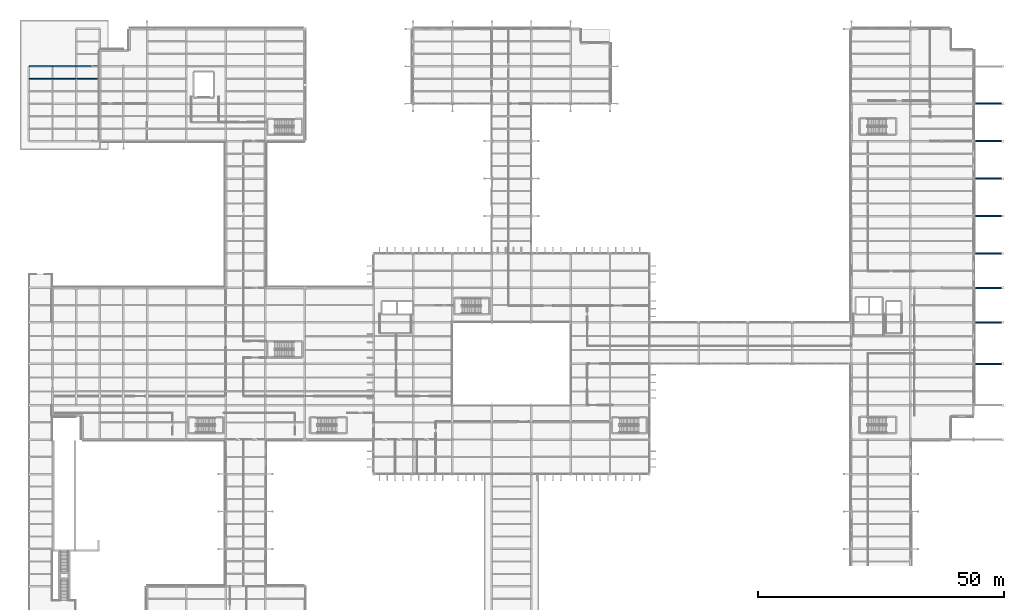
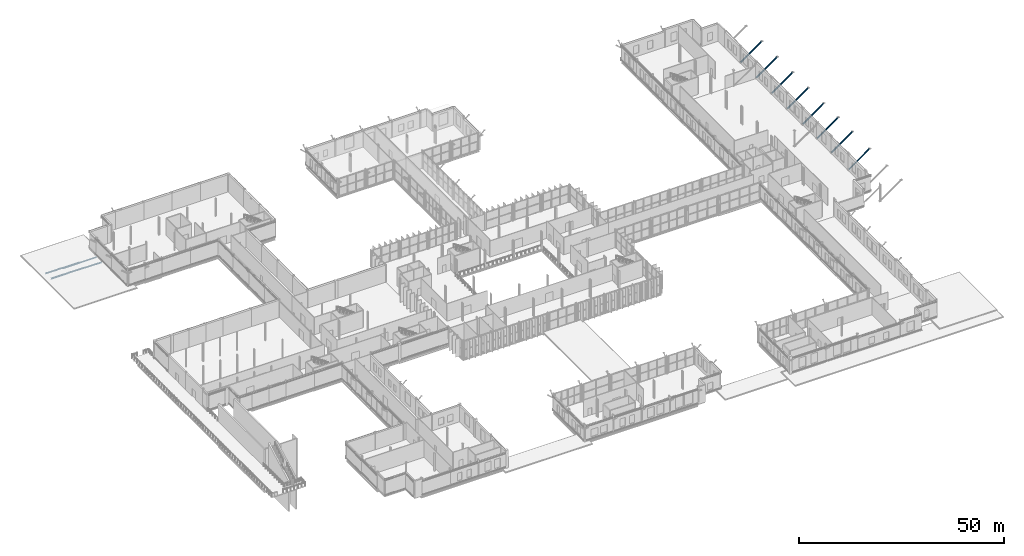
# One storey, part 96 of 147: 8 members, 6 beams.
"""IFC4 building model written with IfcOpenShell, lengths in metres."""

from ifc_helpers import new_model, si_unit, direction, frame, origin, origin_2d, place, context, subcontext, project, spatial, hollow_circle, i_section, extrude, material, material_profile, profile_set, type_object, element, save


model = new_model("IFC4")

# Units and contexts
model_context = context("Model", 3, precision=1e-05, world=origin(), true_north=direction((0.0, 1.0)))
body_context = subcontext(model_context, "Body", "Model", "MODEL_VIEW")
ifc_project = project(units=[si_unit("LENGTHUNIT", "METRE"), si_unit("AREAUNIT", "SQUARE_METRE"), si_unit("VOLUMEUNIT", "CUBIC_METRE"), si_unit("PLANEANGLEUNIT", "RADIAN"), si_unit("MASSUNIT", "GRAM", prefix="KILO")], contexts=[model_context])

# Site, building, storey
site_placement = place(None, origin())
site = spatial("IfcSite", under=ifc_project, at=site_placement, CompositionType="ELEMENT")
building_placement = place(site_placement, origin())
building = spatial("IfcBuilding", under=site, at=building_placement, Name="Vekula Escarpment Museum", CompositionType="ELEMENT")
storey_placement = place(building_placement, frame((0.0, 0.0, 7.800048828125)))
storey = spatial("IfcBuildingStorey", under=building, at=storey_placement, Name="L02", CompositionType="ELEMENT", Elevation=7.800048828125)

# Beams
ifc_material_1 = material(Name="Steel S355", Category="steel")
ifc_material_profile_1 = material_profile(ifc_material_1, i_section(OverallWidth=0.280029296875, OverallDepth=0.280029296875, WebThickness=0.010498046875, FlangeThickness=0.01806640625, FilletRadius=0.02392578125, at=origin_2d()), Name="HEB 280")
ifc_profile_set_1 = profile_set([ifc_material_profile_1], Name="Steel S355")
beam_type_1 = type_object("IfcBeamType", Name="BM-GIRD-HEB280", PredefinedType="BEAM", material=ifc_profile_set_1)
beam_1_placement = place(storey_placement, frame((9.60009765625, 128.39990234375, -0.4599609375), z_axis=(1.0, 0.0, 0.0), x_axis=(0.0, 1.0, 0.0)))
element("IfcBeam", 1, at=beam_1_placement, inside=storey, type_object=beam_type_1, Name="Beam X L02 0997", PredefinedType="BEAM", context=body_context, shape_type="SweptSolid", body=[
    extrude(i_section(OverallWidth=0.280029296875, OverallDepth=0.280029296875, WebThickness=0.010498046875, FlangeThickness=0.01806640625, FilletRadius=0.02392578125, at=origin_2d()), origin(), (0.0, 0.0, 1.0), 4.7998046875),
])
ifc_material_2 = material(Name="Steel S355", Category="steel")
ifc_material_profile_2 = material_profile(ifc_material_2, i_section(OverallWidth=0.300048828125, OverallDepth=0.449951171875, WebThickness=0.013916015625, FlangeThickness=0.02587890625, FilletRadius=0.027099609375, at=origin_2d()), Name="HEB 450")
ifc_profile_set_2 = profile_set([ifc_material_profile_2], Name="Steel S355")
beam_type_2 = type_object("IfcBeamType", Name="BM-GIRD-HEB450", PredefinedType="BEAM", material=ifc_profile_set_2)
beam_2_placement = place(storey_placement, frame((4.800048828125, 128.39990234375, -0.425048828125), z_axis=(1.0, 0.0, 0.0), x_axis=(0.0, 1.0, 0.0)))
element("IfcBeam", 2, at=beam_2_placement, inside=storey, type_object=beam_type_2, Name="Beam X L02 0996", PredefinedType="BEAM", context=body_context, shape_type="SweptSolid", body=[
    extrude(i_section(OverallWidth=0.300048828125, OverallDepth=0.449951171875, WebThickness=0.013916015625, FlangeThickness=0.02587890625, FilletRadius=0.027099609375, at=origin_2d()), origin(), (0.0, 0.0, 1.0), 4.800048828125),
])
ifc_material_3 = material(Name="Steel S355", Category="steel")
ifc_material_profile_3 = material_profile(ifc_material_3, i_section(OverallWidth=0.135009765625, OverallDepth=0.27001953125, WebThickness=0.006591796875, FlangeThickness=0.01025390625, FilletRadius=0.014892578125, at=origin_2d()), Name="IPE 270")
ifc_profile_set_3 = profile_set([ifc_material_profile_3], Name="Steel S355")
beam_type_3 = type_object("IfcBeamType", Name="BM-JST-IPE270", PredefinedType="JOIST", material=ifc_profile_set_3)
beam_3_placement = place(storey_placement, frame((9.68994140625, 125.86669921875, -0.455078125), z_axis=(1.0, 0.0, 0.0), x_axis=(0.0, 1.0, 0.0)))
element("IfcBeam", 3, at=beam_3_placement, inside=storey, type_object=beam_type_3, Name="Secondary Joist L02 0629", PredefinedType="JOIST", context=body_context, shape_type="SweptSolid", body=[
    extrude(i_section(OverallWidth=0.135009765625, OverallDepth=0.27001953125, WebThickness=0.006591796875, FlangeThickness=0.01025390625, FilletRadius=0.014892578125, at=origin_2d()), origin(), (0.0, 0.0, 1.0), 4.6201171875),
])
ifc_material_4 = material(Name="Steel S355", Category="steel")
ifc_material_profile_4 = material_profile(ifc_material_4, i_section(OverallWidth=0.14990234375, OverallDepth=0.300048828125, WebThickness=0.007080078125, FlangeThickness=0.0107421875, FilletRadius=0.014892578125, at=origin_2d()), Name="IPE 300")
ifc_profile_set_4 = profile_set([ifc_material_profile_4], Name="Steel S355")
beam_type_4 = type_object("IfcBeamType", Name="BM-JST-IPE300", PredefinedType="JOIST", material=ifc_profile_set_4)
beam_4_placement = place(storey_placement, frame((4.889892578125, 125.86669921875, -0.35009765625), z_axis=(1.0, 0.0, 0.0), x_axis=(0.0, 1.0, 0.0)))
element("IfcBeam", 4, at=beam_4_placement, inside=storey, type_object=beam_type_4, Name="Secondary Joist L02 0620", PredefinedType="JOIST", context=body_context, shape_type="SweptSolid", body=[
    extrude(i_section(OverallWidth=0.14990234375, OverallDepth=0.300048828125, WebThickness=0.007080078125, FlangeThickness=0.0107421875, FilletRadius=0.014892578125, at=origin_2d()), origin(), (0.0, 0.0, 1.0), 4.6201171875),
])
ifc_material_5 = material(Name="Steel S355", Category="steel")
ifc_material_profile_5 = material_profile(ifc_material_5, i_section(OverallWidth=0.159912109375, OverallDepth=0.330078125, WebThickness=0.007568359375, FlangeThickness=0.011474609375, FilletRadius=0.01806640625, at=origin_2d()), Name="IPE 330")
ifc_profile_set_5 = profile_set([ifc_material_profile_5], Name="Steel S355")
beam_type_5 = type_object("IfcBeamType", Name="BM-JST-IPE330", PredefinedType="JOIST", material=ifc_profile_set_5)
beam_5_placement = place(storey_placement, frame((0.090087890625, 125.86669921875, -0.364990234375), z_axis=(1.0, 0.0, 0.0), x_axis=(0.0, 1.0, 0.0)))
element("IfcBeam", 5, at=beam_5_placement, inside=storey, type_object=beam_type_5, Name="Secondary Joist L02 0611", PredefinedType="JOIST", context=body_context, shape_type="SweptSolid", body=[
    extrude(i_section(OverallWidth=0.159912109375, OverallDepth=0.330078125, WebThickness=0.007568359375, FlangeThickness=0.011474609375, FilletRadius=0.01806640625, at=origin_2d()), origin(), (0.0, 0.0, 1.0), 4.619873046875),
])
ifc_material_6 = material(Name="Steel S355", Category="steel")
ifc_material_profile_6 = material_profile(ifc_material_6, i_section(OverallWidth=0.239990234375, OverallDepth=0.22998046875, WebThickness=0.007568359375, FlangeThickness=0.011962890625, FilletRadius=0.02099609375, at=origin_2d()), Name="HEA 240")
ifc_profile_set_6 = profile_set([ifc_material_profile_6], Name="Steel S355")
beam_type_6 = type_object("IfcBeamType", Name="BM-SPAN-HEA240", PredefinedType="SPANDREL", material=ifc_profile_set_6)
beam_6_placement = place(storey_placement, frame((0.0, 128.39990234375, -0.31494140625), z_axis=(1.0, 0.0, 0.0), x_axis=(0.0, 1.0, 0.0)))
element("IfcBeam", 6, at=beam_6_placement, inside=storey, type_object=beam_type_6, Name="Beam X L02 0995", PredefinedType="SPANDREL", context=body_context, shape_type="SweptSolid", body=[
    extrude(i_section(OverallWidth=0.239990234375, OverallDepth=0.22998046875, WebThickness=0.007568359375, FlangeThickness=0.011962890625, FilletRadius=0.02099609375, at=origin_2d()), origin(), (0.0, 0.0, 1.0), 4.800048828125),
])

# Members
ifc_material_7 = material(Name="Steel S355", Category="steel")
ifc_material_profile_7 = material_profile(ifc_material_7, hollow_circle(Radius=0.203125, WallThickness=0.02001953125, at=origin_2d()), Name="CHS 406.4x20")
ifc_profile_set_7 = profile_set([ifc_material_profile_7], Name="Steel S355")
member_type = type_object("IfcMemberType", Name="MB-ELIB-EXT", PredefinedType="STRUT", material=ifc_profile_set_7)
for number, where, z_axis, x_axis, name in (
    (7, (191.820068359375, 68.0, 0.14990234375), (0.814102450674, 0.0, 0.58072127549), (0.0, 1.0, 0.0), "Cumba Exterior Elibogrunde Strut 03"),
    (8, (191.820068359375, 76.39990234375, 0.14990234375), (0.814102450674, 0.0, 0.58072127549), (0.0, 1.0, 0.0), "Cumba Exterior Elibogrunde Strut 04"),
    (9, (191.820068359375, 83.39990234375, 0.14990234375), (0.814102450674, 0.0, 0.58072127549), (0.0, 1.0, 0.0), "Cumba Exterior Elibogrunde Strut 05"),
    (10, (191.820068359375, 90.39990234375, 0.14990234375), (0.814102450674, 0.0, 0.58072127549), (0.0, 1.0, 0.0), "Cumba Exterior Elibogrunde Strut 06"),
    (11, (191.820068359375, 98.0, 0.14990234375), (0.814102450674, 0.0, 0.58072127549), (0.0, 1.0, 0.0), "Cumba Exterior Elibogrunde Strut 07"),
    (12, (191.820068359375, 105.60009765625, 0.14990234375), (0.814102450674, 0.0, 0.58072127549), (0.0, 1.0, 0.0), "Cumba Exterior Elibogrunde Strut 08"),
    (13, (191.820068359375, 113.199951171875, 0.14990234375), (0.814102450674, 0.0, 0.58072127549), (0.0, 1.0, 0.0), "Cumba Exterior Elibogrunde Strut 09"),
    (14, (191.820068359375, 120.800048828125, 0.14990234375), (0.814102450674, 0.0, 0.58072127549), (0.0, 1.0, 0.0), "Cumba Exterior Elibogrunde Strut 10"),
):
    element("IfcMember", number, at=place(storey_placement, frame(where, z_axis=z_axis, x_axis=x_axis)), inside=storey, type_object=member_type, Name=name, PredefinedType="STRUT", context=body_context, shape_type="SweptSolid", body=[
        extrude(hollow_circle(Radius=0.203125, WallThickness=0.02001953125, at=origin_2d()), origin(), (0.0, 0.0, 1.0), 7.283935546875),
    ])

save(model, "model.ifc")
